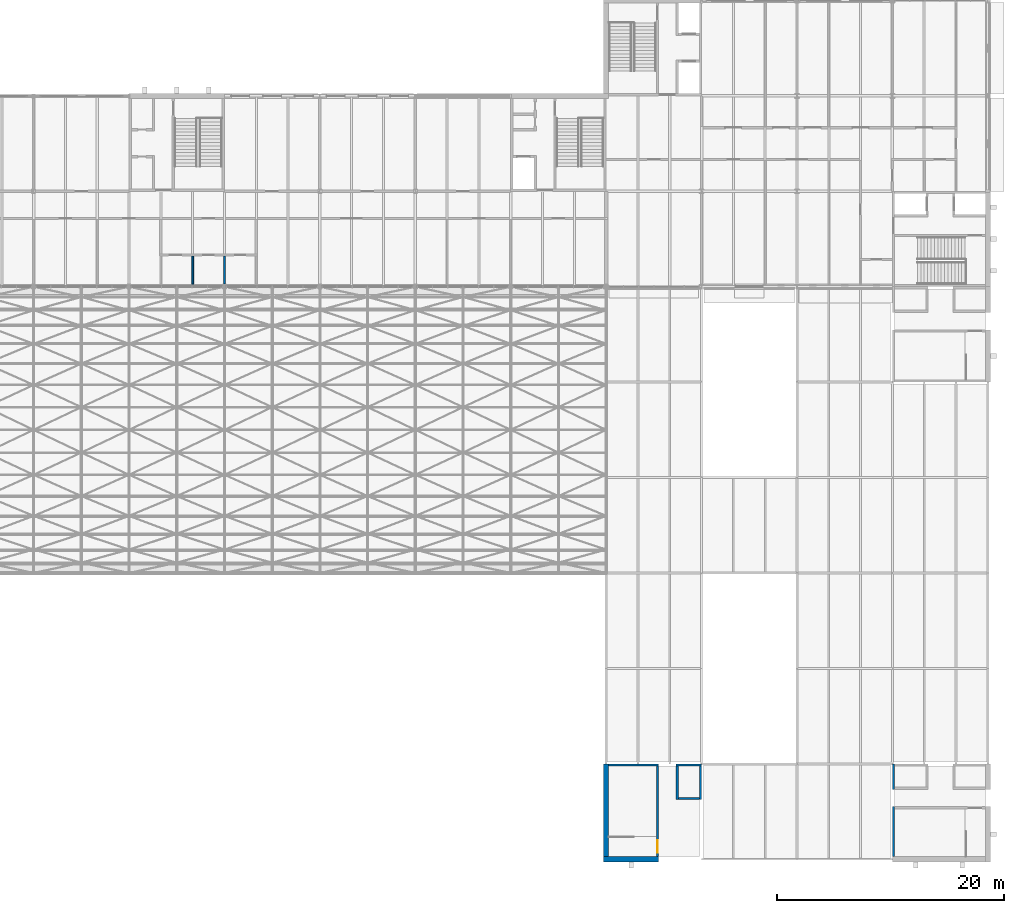
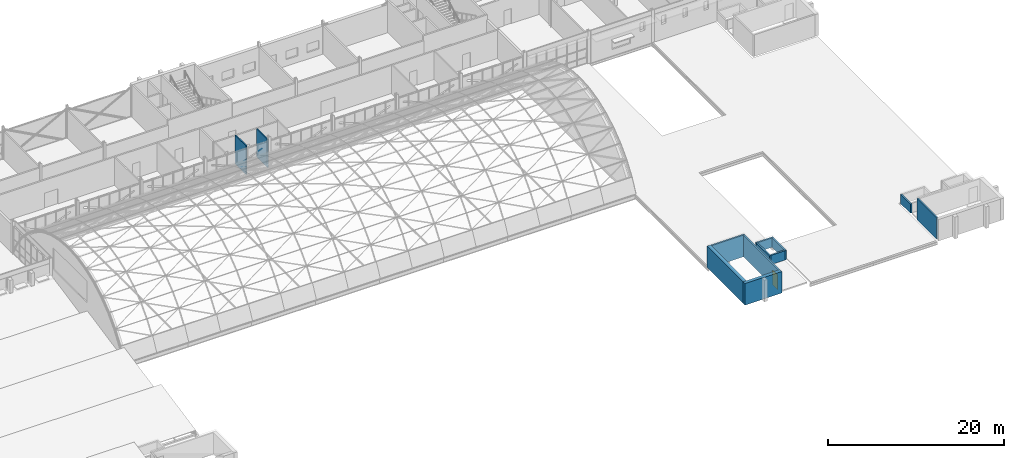
# One storey, part 85 of 121: 12 walls, 1 door, 1 opening.
"""IFC4 building model written with IfcOpenShell, lengths in metres."""

from ifc_helpers import new_model, si_unit, direction, frame, frame_2d, origin, place, context, subcontext, project, spatial, rectangle, extrude, material, layer, layer_set, type_object, element, fill, save


model = new_model("IFC4")

# Units and contexts
model_context = context("Model", 3, precision=1e-05, world=origin(), true_north=direction((0.0, 1.0)))
body_context = subcontext(model_context, "Body", "Model", "MODEL_VIEW")
ifc_project = project(units=[si_unit("LENGTHUNIT", "METRE"), si_unit("AREAUNIT", "SQUARE_METRE"), si_unit("VOLUMEUNIT", "CUBIC_METRE"), si_unit("PLANEANGLEUNIT", "RADIAN"), si_unit("MASSUNIT", "GRAM", prefix="KILO")], contexts=[model_context])

# Site, building, storey
site_placement = place(None, origin())
site = spatial("IfcSite", under=ifc_project, at=site_placement, CompositionType="ELEMENT")
building_placement = place(site_placement, origin())
building = spatial("IfcBuilding", under=site, at=building_placement, Name="Ardhachandra Cancer Care Centre", CompositionType="ELEMENT")
storey_placement = place(building_placement, frame((0.0, 0.0, 9.0)))
storey = spatial("IfcBuildingStorey", under=building, at=storey_placement, Name="L02", CompositionType="ELEMENT", Elevation=9.0)

# Walls
ifc_material_1 = material(Name="Concrete M40", Category="concrete")
ifc_layer_1 = layer(ifc_material_1, 0.449951171875)
ifc_layer_set_1 = layer_set([ifc_layer_1], Name="Concrete M40")
wall_type_1 = type_object("IfcWallType", Name="Core exterior wall RC 450", PredefinedType="SOLIDWALL", material=ifc_layer_set_1)
wall_1_placement = place(storey_placement, frame((111.375, 29.39990234375, 0.0), z_axis=(0.0, 0.0, 1.0), x_axis=(1.0, 0.0, 0.0)))
element("IfcWall", 1, at=wall_1_placement, inside=storey, type_object=wall_type_1, Name="Stair head-house wall K11 FAR", PredefinedType="SOLIDWALL", context=body_context, shape_type="SweptSolid", body=[
    extrude(rectangle(XDim=4.85009765625, YDim=0.449951171875, at=frame_2d((2.425048828125, 0.0))), origin(), (0.0, 0.0, 1.0), 3.0),
])
wall_2_placement = place(storey_placement, frame((111.60009765625, 37.800048828125, 0.0), z_axis=(0.0, 0.0, 1.0), x_axis=(0.0, -1.0, 0.0)))
element("IfcWall", 2, at=wall_2_placement, inside=storey, type_object=wall_type_1, Name="Stair head-house wall K11 UW", PredefinedType="SOLIDWALL", context=body_context, shape_type="SweptSolid", body=[
    extrude(rectangle(XDim=8.175048828125, YDim=0.449951171875, at=frame_2d((4.08740234375, 0.0))), origin(), (0.0, 0.0, 1.0), 3.0),
])
ifc_material_2 = material(Name="Concrete M40", Category="concrete")
ifc_layer_2 = layer(ifc_material_2, 0.199951171875)
ifc_layer_set_2 = layer_set([ifc_layer_2], Name="Concrete M40")
wall_type_2 = type_object("IfcWallType", Name="Core wall RC 200", PredefinedType="SOLIDWALL", material=ifc_layer_set_2)
wall_3_placement = place(storey_placement, frame((136.89990234375, 29.625, 0.0), z_axis=(0.0, 0.0, 1.0), x_axis=(0.0, 1.0, 0.0)))
element("IfcWall", 3, at=wall_3_placement, inside=storey, type_object=wall_type_2, Name="Stair head-house wall K9 ENT", PredefinedType="SOLIDWALL", context=body_context, shape_type="SweptSolid", body=[
    extrude(rectangle(XDim=4.39990234375, YDim=0.199951171875, at=frame_2d((2.199951171875, 0.0))), origin(), (0.0, 0.0, 1.0), 3.0),
])
wall_4_placement = place(storey_placement, frame((136.89990234375, 35.550048828125, 0.0), z_axis=(0.0, 0.0, 1.0), x_axis=(0.0, 1.0, 0.0)))
element("IfcWall", 4, at=wall_4_placement, inside=storey, type_object=wall_type_2, Name="Lift overrun wall K9A ENT", PredefinedType="SOLIDWALL", context=body_context, shape_type="SweptSolid", body=[
    extrude(rectangle(XDim=2.25, YDim=0.199951171875, at=frame_2d((1.125, 0.0))), origin(), (0.0, 0.0, 1.0), 1.300048828125),
])
wall_5_placement = place(storey_placement, frame((111.824951171875, 37.699951171875, 0.0), z_axis=(0.0, 0.0, 1.0), x_axis=(1.0, 0.0, 0.0)))
element("IfcWall", 5, at=wall_5_placement, inside=storey, type_object=wall_type_2, Name="Stair head-house wall K11 ENT", PredefinedType="SOLIDWALL", context=body_context, shape_type="SweptSolid", body=[
    extrude(rectangle(XDim=4.400146484375, YDim=0.199951171875, at=frame_2d((2.2001953125, 0.0))), origin(), (0.0, 0.0, 1.0), 3.0),
])

# Wall, opening, door
wall_6_placement = place(storey_placement, frame((116.125, 37.60009765625, 0.0), z_axis=(0.0, 0.0, 1.0), x_axis=(0.0, -1.0, 0.0)))
wall_6 = element("IfcWall", 6, at=wall_6_placement, inside=storey, type_object=wall_type_2, Name="Stair head-house wall K11 P1", PredefinedType="SOLIDWALL", context=body_context, shape_type="SweptSolid", body=[
    extrude(rectangle(XDim=7.97509765625, YDim=0.199951171875, at=frame_2d((3.987548828125, 0.0))), origin(), (0.0, 0.0, 1.0), 3.0),
])
opening_placement = place(wall_6_placement, frame((6.53759765625, 0.0, 0.0)))
opening = element("IfcOpeningElement", 7, at=opening_placement, cuts=wall_6, Name="Opening L02-K11-1", PredefinedType="OPENING", context=body_context, shape_type="SweptSolid", body=[
    extrude(rectangle(XDim=1.10009765625, YDim=2.10009765625, at=frame_2d((0.550048828125, 1.050048828125))), frame((0.0, 0.10986328125, 0.0), z_axis=(0.0, -1.0, 0.0), x_axis=(1.0, 0.0, 0.0)), (0.0, 0.0, 1.0), 0.219970703125),
])
ifc_material_3 = material(Name="Steel door set", Category="steel")
door_type = type_object("IfcDoorType", Name="Stair door 1100x2100 FD60S", OperationType="NOTDEFINED", PredefinedType="DOOR", material=ifc_material_3)
door_placement = place(opening_placement, origin())
door = element("IfcDoor", 8, at=door_placement, inside=storey, type_object=door_type, Name="Head-house door", OperationType="SINGLE_SWING_RIGHT", OverallHeight=2.10009765625, OverallWidth=1.10009765625, PredefinedType="DOOR", context=body_context, shape_type="SweptSolid", body=[
    extrude(rectangle(XDim=1.10009765625, YDim=2.10009765625, at=frame_2d((0.550048828125, 1.050048828125))), frame((0.0, 0.02490234375, 0.0), z_axis=(0.0, -1.0, 0.0), x_axis=(1.0, 0.0, 0.0)), (0.0, 0.0, 1.0), 0.050048828125),
])
fill(opening, door)

# Walls
wall_7_placement = place(storey_placement, frame((117.85009765625, 37.60009765625, 0.0), z_axis=(0.0, 0.0, 1.0), x_axis=(0.0, -1.0, 0.0)))
element("IfcWall", 9, at=wall_7_placement, inside=storey, type_object=wall_type_2, Name="Lift overrun wall K11A P2A", PredefinedType="SOLIDWALL", context=body_context, shape_type="SweptSolid", body=[
    extrude(rectangle(XDim=2.9501953125, YDim=0.199951171875, at=frame_2d((1.47509765625, 0.0))), origin(), (0.0, 0.0, 1.0), 1.300048828125),
])
wall_8_placement = place(storey_placement, frame((117.949951171875, 34.75, 0.0), z_axis=(0.0, 0.0, 1.0), x_axis=(1.0, 0.0, 0.0)))
element("IfcWall", 10, at=wall_8_placement, inside=storey, type_object=wall_type_2, Name="Lift overrun wall K11A W1", PredefinedType="SOLIDWALL", context=body_context, shape_type="SweptSolid", body=[
    extrude(rectangle(XDim=1.85009765625, YDim=0.199951171875, at=frame_2d((0.925048828125, 0.0))), origin(), (0.0, 0.0, 1.0), 1.300048828125),
])
wall_9_placement = place(storey_placement, frame((117.75, 37.699951171875, 0.0), z_axis=(0.0, 0.0, 1.0), x_axis=(1.0, 0.0, 0.0)))
element("IfcWall", 11, at=wall_9_placement, inside=storey, type_object=wall_type_2, Name="Lift overrun wall K11A ENT", PredefinedType="SOLIDWALL", context=body_context, shape_type="SweptSolid", body=[
    extrude(rectangle(XDim=2.25, YDim=0.199951171875, at=frame_2d((1.125, 0.0))), origin(), (0.0, 0.0, 1.0), 1.300048828125),
])
wall_10_placement = place(storey_placement, frame((119.89990234375, 37.60009765625, 0.0), z_axis=(0.0, 0.0, 1.0), x_axis=(0.0, -1.0, 0.0)))
element("IfcWall", 12, at=wall_10_placement, inside=storey, type_object=wall_type_2, Name="Lift overrun wall K11A UE", PredefinedType="SOLIDWALL", context=body_context, shape_type="SweptSolid", body=[
    extrude(rectangle(XDim=2.9501953125, YDim=0.199951171875, at=frame_2d((1.47509765625, 0.0))), origin(), (0.0, 0.0, 1.0), 1.300048828125),
])
ifc_material_4 = material(Name="Tiled gypsum board partition on steel studs", Category="steel")
ifc_layer_3 = layer(ifc_material_4, 0.14990234375)
ifc_layer_set_3 = layer_set([ifc_layer_3], Name="Tiled gypsum board partition on steel studs")
wall_type_3 = type_object("IfcWallType", Name="WET ROOM PARTITION 150", PredefinedType="PARTITIONING", material=ifc_layer_set_3)
wall_11_placement = place(storey_placement, frame((75.199951171875, 80.02490234375, 0.0), z_axis=(0.0, 0.0, 1.0), x_axis=(0.0, 1.0, 0.0)))
element("IfcWall", 13, at=wall_11_placement, inside=storey, type_object=wall_type_3, Name="R/wall/L02/v0075200_0080025", PredefinedType="PARTITIONING", context=body_context, shape_type="SweptSolid", body=[
    extrude(rectangle(XDim=2.47509765625, YDim=0.14990234375, at=frame_2d((1.237548828125, 0.0))), origin(), (0.0, 0.0, 1.0), 3.99609375),
])
wall_12_placement = place(storey_placement, frame((78.0, 80.02490234375, 0.0), z_axis=(0.0, 0.0, 1.0), x_axis=(0.0, 1.0, 0.0)))
element("IfcWall", 14, at=wall_12_placement, inside=storey, type_object=wall_type_3, Name="R/wall/L02/v0078000_0080025", PredefinedType="PARTITIONING", context=body_context, shape_type="SweptSolid", body=[
    extrude(rectangle(XDim=2.47509765625, YDim=0.14990234375, at=frame_2d((1.237548828125, 0.0))), origin(), (0.0, 0.0, 1.0), 3.89990234375),
])

save(model, "model.ifc")
